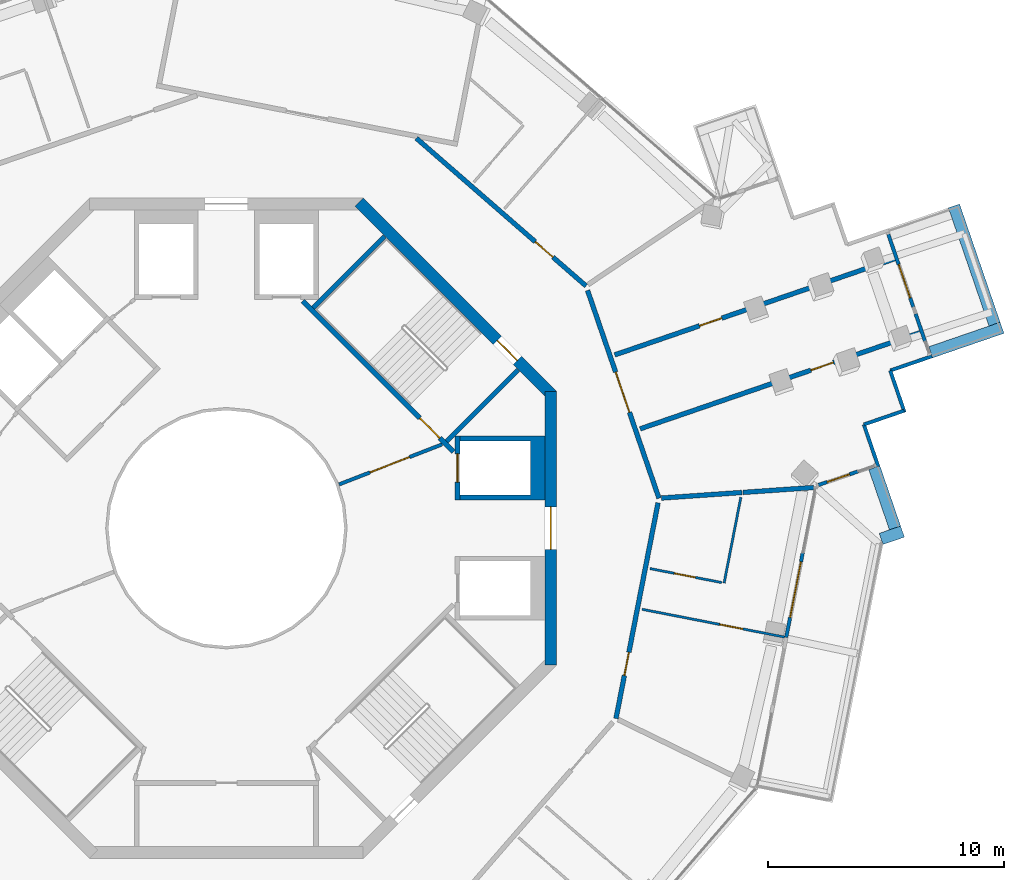
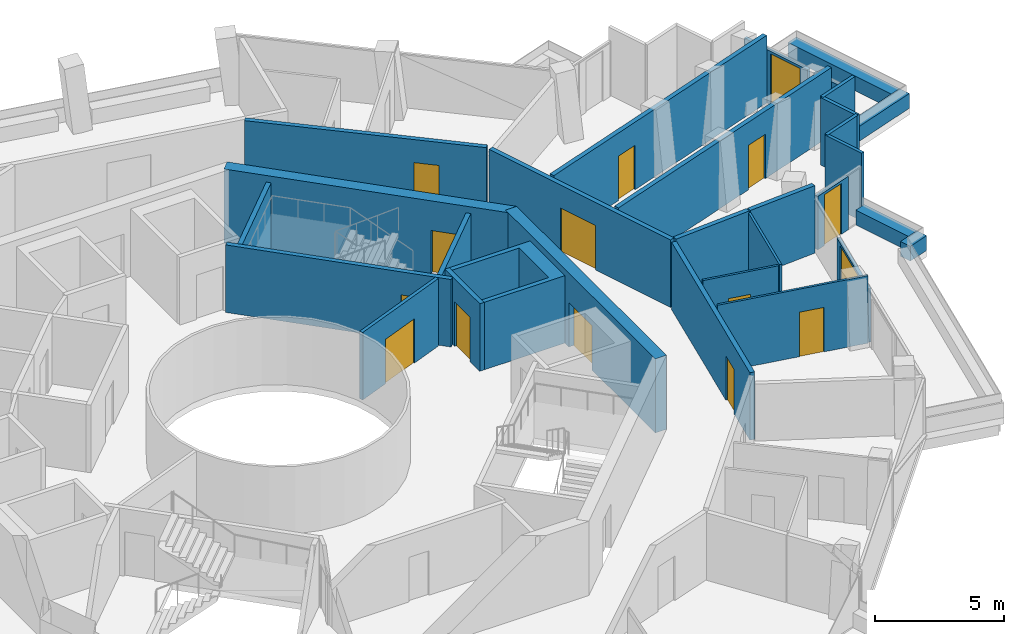
# One storey, part 18 of 22: 30 walls, 15 doors, 15 openings.
"""IFC4 building model written with IfcOpenShell, lengths in metres."""

from ifc_helpers import new_model, si_unit, direction, frame, frame_2d, origin, place, context, subcontext, project, spatial, polyline, rectangle, outline, extrude, material, layer, layer_set, type_object, element, fill, save


model = new_model("IFC4")

# Units and contexts
model_context = context("Model", 3, precision=1e-05, world=origin(), true_north=direction((0.0, 1.0)))
body_context = subcontext(model_context, "Body", "Model", "MODEL_VIEW")
ifc_project = project(units=[si_unit("LENGTHUNIT", "METRE"), si_unit("AREAUNIT", "SQUARE_METRE"), si_unit("VOLUMEUNIT", "CUBIC_METRE"), si_unit("PLANEANGLEUNIT", "RADIAN"), si_unit("MASSUNIT", "GRAM", prefix="KILO")], contexts=[model_context])

# Site, building, storey
site_placement = place(None, origin())
site = spatial("IfcSite", under=ifc_project, at=site_placement, CompositionType="ELEMENT")
building_placement = place(site_placement, origin())
building = spatial("IfcBuilding", under=site, at=building_placement, Name="Verdalira Terraces Hotel", CompositionType="ELEMENT")
storey_placement = place(building_placement, frame((0.0, 0.0, 234.0)))
storey = spatial("IfcBuildingStorey", under=building, at=storey_placement, Name="L57", CompositionType="ELEMENT", Elevation=234.0)

# Walls
ifc_material_1 = material(Name="Concrete C40", Category="concrete")
ifc_layer_1 = layer(ifc_material_1, 0.5)
ifc_layer_set_1 = layer_set([ifc_layer_1], Name="Balcony planter trough with tree")
wall_type_1 = type_object("IfcWallType", Name="Balcony planter trough with tree", PredefinedType="SOLIDWALL", material=ifc_layer_set_1)
wall_1_placement = place(storey_placement, frame((27.759766, -0.455322, 0.0), z_axis=(0.0, 0.0, 1.0), x_axis=(0.94576728, 0.324844966, 0.0)))
element("IfcWall", 1, at=wall_1_placement, inside=storey, type_object=wall_type_1, Name="Balcony planter", PredefinedType="SOLIDWALL", context=body_context, shape_type="SweptSolid", body=[
    extrude(rectangle(XDim=0.958984, YDim=0.5, at=frame_2d((0.479492, 0.0))), origin(), (0.0, 0.0, 1.0), 0.699951),
])
wall_2_placement = place(storey_placement, frame((28.349121, 0.011475, 0.0), z_axis=(0.0, 0.0, 1.0), x_axis=(-0.324925551, 0.945739598, 0.0)))
element("IfcWall", 2, at=wall_2_placement, inside=storey, type_object=wall_type_1, Name="Balcony planter", PredefinedType="SOLIDWALL", context=body_context, shape_type="SweptSolid", body=[
    extrude(rectangle(XDim=2.698975, YDim=0.5, at=frame_2d((1.349609, 0.0))), origin(), (0.0, 0.0, 1.0), 0.699951),
])
wall_3_placement = place(storey_placement, frame((29.863037, 7.457275, 0.0), z_axis=(0.0, 0.0, 1.0), x_axis=(0.945735708, 0.324936871, 0.0)))
element("IfcWall", 3, at=wall_3_placement, inside=storey, type_object=wall_type_1, Name="Balcony planter", PredefinedType="SOLIDWALL", context=body_context, shape_type="SweptSolid", body=[
    extrude(rectangle(XDim=3.199219, YDim=0.5, at=frame_2d((1.599609, 0.0))), origin(), (0.0, 0.0, 1.0), 0.699951),
])
wall_4_placement = place(storey_placement, frame((32.570801, 8.651855, 0.0), z_axis=(0.0, 0.0, 1.0), x_axis=(-0.32489309, 0.945750749, 0.0)))
element("IfcWall", 4, at=wall_4_placement, inside=storey, type_object=wall_type_1, Name="Balcony planter", PredefinedType="SOLIDWALL", context=body_context, shape_type="SweptSolid", body=[
    extrude(rectangle(XDim=5.300049, YDim=0.5, at=frame_2d((2.649902, 0.0))), origin(), (0.0, 0.0, 1.0), 0.699951),
])

# Wall, opening, door
ifc_material_2 = material(Name="Moisture-resistant gypsum board partition")
ifc_layer_2 = layer(ifc_material_2, 0.10009765625)
ifc_layer_set_2 = layer_set([ifc_layer_2], Name="Bathroom partition 100 mm")
wall_type_2 = type_object("IfcWallType", Name="Bathroom partition 100 mm", PredefinedType="PARTITIONING", material=ifc_layer_set_2)
wall_5_placement = place(storey_placement, frame((17.962646, -1.713135, 0.0), z_axis=(0.0, 0.0, 1.0), x_axis=(0.981487704, -0.191525162, 0.0)))
wall_5 = element("IfcWall", 5, at=wall_5_placement, inside=storey, type_object=wall_type_2, Name="Bathroom partition", PredefinedType="PARTITIONING", context=body_context, shape_type="SweptSolid", body=[
    extrude(rectangle(XDim=3.100098, YDim=0.100098, at=frame_2d((1.550049, 0.0))), origin(), (0.0, 0.0, 1.0), 3.189941),
])
opening_1_placement = place(wall_5_placement, frame((1.050049, 0.0, 0.0)))
opening_1 = element("IfcOpeningElement", 6, at=opening_1_placement, cuts=wall_5, Name="Opening L57-123", PredefinedType="OPENING", context=body_context, shape_type="SweptSolid", body=[
    extrude(rectangle(XDim=0.899902, YDim=2.100098, at=frame_2d((0.449951, 1.050049))), frame((0.0, 0.060059, 0.0), z_axis=(0.0, -1.0, 0.0), x_axis=(1.0, 0.0, 0.0)), (0.0, 0.0, 1.0), 0.120117),
])
ifc_material_3 = material(Name="Timber door", Category="wood")
door_type_1 = type_object("IfcDoorType", Name="Bathroom door 900 x 2100", OperationType="NOTDEFINED", PredefinedType="DOOR", material=ifc_material_3)
door_1_placement = place(opening_1_placement, origin())
door_1 = element("IfcDoor", 7, at=door_1_placement, inside=storey, type_object=door_type_1, Name="Bathroom door 5708", OperationType="SINGLE_SWING_RIGHT", OverallHeight=2.10009765625, OverallWidth=0.89990234375, PredefinedType="DOOR", context=body_context, shape_type="SweptSolid", body=[
    extrude(rectangle(XDim=0.899902, YDim=2.100098, at=frame_2d((0.449951, 1.050049))), frame((0.0, 0.024902, 0.0), z_axis=(0.0, -1.0, 0.0), x_axis=(1.0, 0.0, 0.0)), (0.0, 0.0, 1.0), 0.050049),
])
fill(opening_1, door_1)

wall_6_placement = place(storey_placement, frame((17.625977, -3.438965, 0.0), z_axis=(0.0, 0.0, 1.0), x_axis=(0.981492048, -0.191502898, 0.0)))
wall_6 = element("IfcWall", 8, at=wall_6_placement, inside=storey, type_object=wall_type_2, Name="Bathroom partition", PredefinedType="PARTITIONING", context=body_context, shape_type="SweptSolid", body=[
    extrude(rectangle(XDim=6.149902, YDim=0.100098, at=frame_2d((3.074951, 0.0))), origin(), (0.0, 0.0, 1.0), 3.189941),
])
opening_2_placement = place(wall_6_placement, frame((3.350098, 0.0, 0.0)))
opening_2 = element("IfcOpeningElement", 9, at=opening_2_placement, cuts=wall_6, Name="Opening L57-122", PredefinedType="OPENING", context=body_context, shape_type="SweptSolid", body=[
    extrude(rectangle(XDim=1.0, YDim=2.100098, at=frame_2d((0.5, 1.050049))), frame((0.0, 0.060059, 0.0), z_axis=(0.0, -1.0, 0.0), x_axis=(1.0, 0.0, 0.0)), (0.0, 0.0, 1.0), 0.120117),
])
ifc_material_4 = material(Name="Timber door", Category="wood")
door_type_2 = type_object("IfcDoorType", Name="Suite internal door 1000 x 2100", OperationType="NOTDEFINED", PredefinedType="DOOR", material=ifc_material_4)
door_2_placement = place(opening_2_placement, origin())
door_2 = element("IfcDoor", 10, at=door_2_placement, inside=storey, type_object=door_type_2, Name="Suite internal door 5708", OperationType="SINGLE_SWING_LEFT", OverallHeight=2.10009765625, OverallWidth=1.0, PredefinedType="DOOR", context=body_context, shape_type="SweptSolid", body=[
    extrude(rectangle(XDim=1.0, YDim=2.100098, at=frame_2d((0.5, 1.050049))), frame((0.0, 0.024902, 0.0), z_axis=(0.0, -1.0, 0.0), x_axis=(1.0, 0.0, 0.0)), (0.0, 0.0, 1.0), 0.050049),
])
fill(opening_2, door_2)

# Walls
wall_7_placement = place(storey_placement, frame((21.103516, -2.325928, 0.0), z_axis=(0.0, 0.0, 1.0), x_axis=(0.19147474, 0.981497541, 0.0)))
element("IfcWall", 11, at=wall_7_placement, inside=storey, type_object=wall_type_2, Name="Bathroom partition", PredefinedType="PARTITIONING", context=body_context, shape_type="SweptSolid", body=[
    extrude(rectangle(XDim=3.704102, YDim=0.100098, at=frame_2d((1.852051, 0.0))), origin(), (0.0, 0.0, 1.0), 3.189941),
])
ifc_material_5 = material(Name="Concrete C50", Category="concrete")
ifc_layer_3 = layer(ifc_material_5, 0.199951171875)
ifc_layer_set_3 = layer_set([ifc_layer_3], Name="Core RC wall 200 C50")
wall_type_3 = type_object("IfcWallType", Name="Core RC wall 200 C50", PredefinedType="SOLIDWALL", material=ifc_layer_set_3)
wall_8_placement = place(storey_placement, origin())
element("IfcWall", 12, at=wall_8_placement, inside=storey, type_object=wall_type_3, Name="L57 shaft wall E2", PredefinedType="SOLIDWALL", context=body_context, shape_type="SweptSolid", body=[
    extrude(outline(polyline([(13.5, 3.899902), (13.5, 1.199951), (9.899902, 1.199951), (9.899902, 1.399902), (12.899902, 1.399902), (12.899902, 3.699951), (9.899902, 3.699951), (9.899902, 3.899902), (13.5, 3.899902)])), origin(), (0.0, 0.0, 1.0), 3.189941),
])

# Wall, opening, door
wall_9_placement = place(storey_placement, frame((9.800049, 1.199951, 0.0), z_axis=(0.0, 0.0, 1.0), x_axis=(0.0, 1.0, 0.0)))
wall_9 = element("IfcWall", 13, at=wall_9_placement, inside=storey, type_object=wall_type_3, Name="L57 shaft front wall E2", PredefinedType="SOLIDWALL", context=body_context, shape_type="SweptSolid", body=[
    extrude(rectangle(XDim=2.699951, YDim=0.199951, at=frame_2d((1.350098, 0.0))), origin(), (0.0, 0.0, 1.0), 3.189941),
])
opening_3_placement = place(wall_9_placement, frame((0.75, 0.0, 0.0)))
opening_3 = element("IfcOpeningElement", 14, at=opening_3_placement, cuts=wall_9, Name="Opening LD-L57-803", PredefinedType="OPENING", context=body_context, shape_type="SweptSolid", body=[
    extrude(rectangle(XDim=1.199951, YDim=2.100098, at=frame_2d((0.600098, 1.050049))), frame((0.0, 0.109863, 0.0), z_axis=(0.0, -1.0, 0.0), x_axis=(1.0, 0.0, 0.0)), (0.0, 0.0, 1.0), 0.219971),
])
ifc_material_6 = material(Name="Stainless steel", Category="steel")
door_type_3 = type_object("IfcDoorType", Name="Landing door 1200 x 2100", OperationType="NOTDEFINED", PredefinedType="DOOR", material=ifc_material_6)
door_3_placement = place(opening_3_placement, origin())
door_3 = element("IfcDoor", 15, at=door_3_placement, inside=storey, type_object=door_type_3, Name="Lift landing door HR2 L57", OperationType="DOUBLE_DOOR_SLIDING", OverallHeight=2.10009765625, OverallWidth=1.199951171875, PredefinedType="DOOR", context=body_context, shape_type="SweptSolid", body=[
    extrude(rectangle(XDim=1.199951, YDim=2.100098, at=frame_2d((0.600098, 1.050049))), frame((0.0, 0.024902, 0.0), z_axis=(0.0, -1.0, 0.0), x_axis=(1.0, 0.0, 0.0)), (0.0, 0.0, 1.0), 0.050049),
])
fill(opening_3, door_3)

wall_10_placement = place(storey_placement, frame((3.23999, 9.629395, 0.0), z_axis=(0.0, 0.0, 1.0), x_axis=(0.707106781, -0.707106781, 0.0)))
wall_10 = element("IfcWall", 16, at=wall_10_placement, inside=storey, type_object=wall_type_3, Name="L57 stair ST1 front wall", PredefinedType="SOLIDWALL", context=body_context, shape_type="SweptSolid", body=[
    extrude(rectangle(XDim=9.035889, YDim=0.199951, at=frame_2d((4.518066, 0.0))), origin(), (0.0, 0.0, 1.0), 3.189941),
])
opening_4_placement = place(wall_10_placement, frame((7.017822, 0.0, 0.0)))
opening_4 = element("IfcOpeningElement", 17, at=opening_4_placement, cuts=wall_10, Name="Opening L57-810", PredefinedType="OPENING", context=body_context, shape_type="SweptSolid", body=[
    extrude(rectangle(XDim=1.199951, YDim=2.100098, at=frame_2d((0.600098, 1.050049))), frame((0.0, 0.109863, 0.0), z_axis=(0.0, -1.0, 0.0), x_axis=(1.0, 0.0, 0.0)), (0.0, 0.0, 1.0), 0.219971),
])
ifc_material_7 = material(Name="Steel fire door", Category="steel")
door_type_4 = type_object("IfcDoorType", Name="Stair door 1200 x 2100", OperationType="NOTDEFINED", PredefinedType="DOOR", material=ifc_material_7)
door_4_placement = place(opening_4_placement, origin())
door_4 = element("IfcDoor", 18, at=door_4_placement, inside=storey, type_object=door_type_4, Name="Stair door ST1 L57", OperationType="SINGLE_SWING_RIGHT", OverallHeight=2.10009765625, OverallWidth=1.199951171875, PredefinedType="DOOR", context=body_context, shape_type="SweptSolid", body=[
    extrude(rectangle(XDim=1.199951, YDim=2.100098, at=frame_2d((0.600098, 1.050049))), frame((0.0, 0.024902, 0.0), z_axis=(0.0, -1.0, 0.0), x_axis=(1.0, 0.0, 0.0)), (0.0, 0.0, 1.0), 0.050049),
])
fill(opening_4, door_4)

# Walls
for number, where, z_axis, x_axis, name in (
    (19, (9.33374, 3.677002, 0.0), (0.0, 0.0, 1.0), (0.707135168, 0.707078393, 0.0), "L57 stair ST1 end wall 1"),
    (20, (3.677002, 9.33374, 0.0), (0.0, 0.0, 1.0), (0.707078393, 0.707135168, 0.0), "L57 stair ST1 end wall 2"),
):
    element("IfcWall", number, at=place(storey_placement, frame(where, z_axis=z_axis, x_axis=x_axis)), inside=storey, type_object=wall_type_3, Name=name, PredefinedType="SOLIDWALL", context=body_context, shape_type="SweptSolid", body=[
        extrude(rectangle(XDim=4.300049, YDim=0.199951, at=frame_2d((2.149902, 0.0))), origin(), (0.0, 0.0, 1.0), 3.189941),
    ])

# Wall, opening, door
ifc_material_8 = material(Name="Gypsum board partition")
ifc_layer_4 = layer(ifc_material_8, 0.14990234375)
ifc_layer_set_4 = layer_set([ifc_layer_4], Name="Core partition 150 mm")
wall_type_4 = type_object("IfcWallType", Name="Core partition 150 mm", PredefinedType="PARTITIONING", material=ifc_layer_set_4)
wall_11_placement = place(storey_placement, frame((4.781982, 1.857178, 0.0), z_axis=(0.0, 0.0, 1.0), x_axis=(0.932155279, 0.362058746, 0.0)))
wall_11 = element("IfcWall", 21, at=wall_11_placement, inside=storey, type_object=wall_type_4, Name="Gallery fire partition L57", PredefinedType="PARTITIONING", context=body_context, shape_type="SweptSolid", body=[
    extrude(rectangle(XDim=4.682373, YDim=0.149902, at=frame_2d((2.341309, 0.0))), origin(), (0.0, 0.0, 1.0), 3.189941),
])
opening_5_placement = place(wall_11_placement, frame((1.399902, 0.0, 0.0)))
opening_5 = element("IfcOpeningElement", 22, at=opening_5_placement, cuts=wall_11, Name="Opening L57-824", PredefinedType="OPENING", context=body_context, shape_type="SweptSolid", body=[
    extrude(rectangle(XDim=1.800049, YDim=2.100098, at=frame_2d((0.899902, 1.050049))), frame((0.0, 0.084961, 0.0), z_axis=(0.0, -1.0, 0.0), x_axis=(1.0, 0.0, 0.0)), (0.0, 0.0, 1.0), 0.169922),
])
ifc_material_9 = material(Name="Steel fire door", Category="steel")
door_type_5 = type_object("IfcDoorType", Name="Gallery fire door pair 1800 x 2100", OperationType="NOTDEFINED", PredefinedType="DOOR", material=ifc_material_9)
door_5_placement = place(opening_5_placement, origin())
door_5 = element("IfcDoor", 23, at=door_5_placement, inside=storey, type_object=door_type_5, Name="Door L57 split0", OperationType="DOUBLE_DOOR_SINGLE_SWING", OverallHeight=2.10009765625, OverallWidth=1.800048828125, PredefinedType="DOOR", context=body_context, shape_type="SweptSolid", body=[
    extrude(rectangle(XDim=1.800049, YDim=2.100098, at=frame_2d((0.899902, 1.050049))), frame((0.0, 0.024902, 0.0), z_axis=(0.0, -1.0, 0.0), x_axis=(1.0, 0.0, 0.0)), (0.0, 0.0, 1.0), 0.050049),
])
fill(opening_5, door_5)

ifc_material_10 = material(Name="Concrete C50", Category="concrete")
ifc_layer_5 = layer(ifc_material_10, 0.5)
ifc_layer_set_5 = layer_set([ifc_layer_5], Name="Core wall 500 C50")
wall_type_5 = type_object("IfcWallType", Name="Core wall 500 C50", PredefinedType="SHEAR", material=ifc_layer_set_5)
wall_12_placement = place(storey_placement, frame((13.75, -5.799072, 0.0), z_axis=(0.0, 0.0, 1.0), x_axis=(0.0, 1.0, 0.0)))
wall_12 = element("IfcWall", 24, at=wall_12_placement, inside=storey, type_object=wall_type_5, Name="Core wall CW-L57-1", PredefinedType="SHEAR", context=body_context, shape_type="SweptSolid", body=[
    extrude(rectangle(XDim=11.598145, YDim=0.5, at=frame_2d((5.799072, 0.0))), origin(), (0.0, 0.0, 1.0), 3.5),
])
opening_6_placement = place(wall_12_placement, frame((4.898926, 0.0, 0.0)))
opening_6 = element("IfcOpeningElement", 25, at=opening_6_placement, cuts=wall_12, Name="Opening L57-813", PredefinedType="OPENING", context=body_context, shape_type="SweptSolid", body=[
    extrude(rectangle(XDim=1.800049, YDim=2.100098, at=frame_2d((0.899902, 1.050049))), frame((0.0, 0.26001, 0.0), z_axis=(0.0, -1.0, 0.0), x_axis=(1.0, 0.0, 0.0)), (0.0, 0.0, 1.0), 0.52002),
])
ifc_material_11 = material(Name="Steel fire door", Category="steel")
door_type_6 = type_object("IfcDoorType", Name="Core entry door pair 1800 x 2100", OperationType="NOTDEFINED", PredefinedType="DOOR", material=ifc_material_11)
door_6_placement = place(opening_6_placement, origin())
door_6 = element("IfcDoor", 26, at=door_6_placement, inside=storey, type_object=door_type_6, Name="Core entry door L57 0", OperationType="DOUBLE_DOOR_SINGLE_SWING", OverallHeight=2.10009765625, OverallWidth=1.800048828125, PredefinedType="DOOR", context=body_context, shape_type="SweptSolid", body=[
    extrude(rectangle(XDim=1.800049, YDim=2.100098, at=frame_2d((0.899902, 1.050049))), frame((0.0, 0.024902, 0.0), z_axis=(0.0, -1.0, 0.0), x_axis=(1.0, 0.0, 0.0)), (0.0, 0.0, 1.0), 0.050049),
])
fill(opening_6, door_6)

wall_13_placement = place(storey_placement, frame((13.823242, 5.622314, 0.0), z_axis=(0.0, 0.0, 1.0), x_axis=(-0.707106781, 0.707106781, 0.0)))
wall_13 = element("IfcWall", 27, at=wall_13_placement, inside=storey, type_object=wall_type_5, Name="Core wall CW-L57-2", PredefinedType="SHEAR", context=body_context, shape_type="SweptSolid", body=[
    extrude(rectangle(XDim=11.5979, YDim=0.5, at=frame_2d((5.798828, 0.0))), origin(), (0.0, 0.0, 1.0), 3.5),
])
opening_7_placement = place(wall_13_placement, frame((2.099121, 0.0, 0.0)))
opening_7 = element("IfcOpeningElement", 28, at=opening_7_placement, cuts=wall_13, Name="Opening L57-816", PredefinedType="OPENING", context=body_context, shape_type="SweptSolid", body=[
    extrude(rectangle(XDim=1.199951, YDim=2.100098, at=frame_2d((0.600098, 1.050049))), frame((0.0, 0.26001, 0.0), z_axis=(0.0, -1.0, 0.0), x_axis=(1.0, 0.0, 0.0)), (0.0, 0.0, 1.0), 0.52002),
])
door_7_placement = place(opening_7_placement, origin())
door_7 = element("IfcDoor", 29, at=door_7_placement, inside=storey, type_object=door_type_4, Name="Stair exit door ST1 L57", OperationType="SINGLE_SWING_LEFT", OverallHeight=2.10009765625, OverallWidth=1.199951171875, PredefinedType="DOOR", context=body_context, shape_type="SweptSolid", body=[
    extrude(rectangle(XDim=1.199951, YDim=2.100098, at=frame_2d((0.600098, 1.050049))), frame((0.0, 0.024902, 0.0), z_axis=(0.0, -1.0, 0.0), x_axis=(1.0, 0.0, 0.0)), (0.0, 0.0, 1.0), 0.050049),
])
fill(opening_7, door_7)

# Wall
ifc_material_12 = material(Name="Fire-rated gypsum board wall")
ifc_layer_6 = layer(ifc_material_12, 0.199951171875)
ifc_layer_set_6 = layer_set([ifc_layer_6], Name="Demising wall 200 mm")
wall_type_6 = type_object("IfcWallType", Name="Demising wall 200 mm", PredefinedType="SOLIDWALL", material=ifc_layer_set_6)
wall_14_placement = place(storey_placement, frame((21.854492, 1.512939, 0.0), z_axis=(0.0, 0.0, 1.0), x_axis=(-0.997612547, -0.069059441, 0.0)))
element("IfcWall", 30, at=wall_14_placement, inside=storey, type_object=wall_type_6, Name="Demising wall", PredefinedType="SOLIDWALL", context=body_context, shape_type="SweptSolid", body=[
    extrude(rectangle(XDim=3.418457, YDim=0.199951, at=frame_2d((1.709229, 0.0))), origin(), (0.0, 0.0, 1.0), 3.189941),
])

# Wall, opening, door
wall_15_placement = place(storey_placement, frame((16.464844, 7.345947, 0.0), z_axis=(0.0, 0.0, 1.0), x_axis=(0.945742436, 0.324917289, 0.0)))
wall_15 = element("IfcWall", 31, at=wall_15_placement, inside=storey, type_object=wall_type_6, Name="Demising wall", PredefinedType="SOLIDWALL", context=body_context, shape_type="SweptSolid", body=[
    extrude(rectangle(XDim=12.556641, YDim=0.199951, at=frame_2d((6.27832, 0.0))), origin(), (0.0, 0.0, 1.0), 3.189941),
])
opening_8_placement = place(wall_15_placement, frame((3.800049, 0.0, 0.0)))
opening_8 = element("IfcOpeningElement", 32, at=opening_8_placement, cuts=wall_15, Name="Opening L57-126", PredefinedType="OPENING", context=body_context, shape_type="SweptSolid", body=[
    extrude(rectangle(XDim=1.0, YDim=2.100098, at=frame_2d((0.5, 1.050049))), frame((0.0, 0.109863, 0.0), z_axis=(0.0, -1.0, 0.0), x_axis=(1.0, 0.0, 0.0)), (0.0, 0.0, 1.0), 0.219971),
])
ifc_material_13 = material(Name="Timber fire door", Category="wood")
door_type_7 = type_object("IfcDoorType", Name="Public room door 1000 x 2100", OperationType="NOTDEFINED", PredefinedType="DOOR", material=ifc_material_13)
door_8_placement = place(opening_8_placement, origin())
door_8 = element("IfcDoor", 33, at=door_8_placement, inside=storey, type_object=door_type_7, Name="Public room door 5709", OperationType="SINGLE_SWING_LEFT", OverallHeight=2.10009765625, OverallWidth=1.0, PredefinedType="DOOR", context=body_context, shape_type="SweptSolid", body=[
    extrude(rectangle(XDim=1.0, YDim=2.100098, at=frame_2d((0.5, 1.050049))), frame((0.0, 0.024902, 0.0), z_axis=(0.0, -1.0, 0.0), x_axis=(1.0, 0.0, 0.0)), (0.0, 0.0, 1.0), 0.050049),
])
fill(opening_8, door_8)

# Wall
wall_16_placement = place(storey_placement, frame((24.904541, 1.724121, 0.0), z_axis=(0.0, 0.0, 1.0), x_axis=(-0.997611873, -0.069069179, 0.0)))
element("IfcWall", 34, at=wall_16_placement, inside=storey, type_object=wall_type_6, Name="Demising wall", PredefinedType="SOLIDWALL", context=body_context, shape_type="SweptSolid", body=[
    extrude(rectangle(XDim=3.011475, YDim=0.199951, at=frame_2d((1.505859, 0.0))), origin(), (0.0, 0.0, 1.0), 3.189941),
])

# Wall, opening, door
wall_17_placement = place(storey_placement, frame((29.416992, 8.290771, 0.0), z_axis=(0.0, 0.0, 1.0), x_axis=(-0.945748411, -0.324899898, 0.0)))
wall_17 = element("IfcWall", 35, at=wall_17_placement, inside=storey, type_object=wall_type_6, Name="Demising wall", PredefinedType="SOLIDWALL", context=body_context, shape_type="SweptSolid", body=[
    extrude(rectangle(XDim=12.556396, YDim=0.199951, at=frame_2d((6.27832, 0.0))), origin(), (0.0, 0.0, 1.0), 3.189941),
])
opening_9_placement = place(wall_17_placement, frame((3.899902, 0.0, 0.0)))
opening_9 = element("IfcOpeningElement", 36, at=opening_9_placement, cuts=wall_17, Name="Opening L57-125", PredefinedType="OPENING", context=body_context, shape_type="SweptSolid", body=[
    extrude(rectangle(XDim=1.0, YDim=2.100098, at=frame_2d((0.5, 1.050049))), frame((0.0, 0.109863, 0.0), z_axis=(0.0, -1.0, 0.0), x_axis=(1.0, 0.0, 0.0)), (0.0, 0.0, 1.0), 0.219971),
])
door_9_placement = place(opening_9_placement, origin())
door_9 = element("IfcDoor", 37, at=door_9_placement, inside=storey, type_object=door_type_7, Name="Public room door 5709", OperationType="SINGLE_SWING_LEFT", OverallHeight=2.10009765625, OverallWidth=1.0, PredefinedType="DOOR", context=body_context, shape_type="SweptSolid", body=[
    extrude(rectangle(XDim=1.0, YDim=2.100098, at=frame_2d((0.5, 1.050049))), frame((0.0, 0.024902, 0.0), z_axis=(0.0, -1.0, 0.0), x_axis=(1.0, 0.0, 0.0)), (0.0, 0.0, 1.0), 0.050049),
])
fill(opening_9, door_9)

ifc_material_14 = material(Name="Fire-rated gypsum board wall")
ifc_layer_7 = layer(ifc_material_14, 0.199951171875)
ifc_layer_set_7 = layer_set([ifc_layer_7], Name="Guest corridor wall 200 mm")
wall_type_7 = type_object("IfcWallType", Name="Guest corridor wall 200 mm", PredefinedType="SOLIDWALL", material=ifc_layer_set_7)
wall_18_placement = place(storey_placement, frame((8.055908, 16.531494, 0.0), z_axis=(0.0, 0.0, 1.0), x_axis=(0.754252127, -0.656584899, 0.0)))
wall_18 = element("IfcWall", 38, at=wall_18_placement, inside=storey, type_object=wall_type_7, Name="Guest corridor wall", PredefinedType="SOLIDWALL", context=body_context, shape_type="SweptSolid", body=[
    extrude(rectangle(XDim=9.536377, YDim=0.199951, at=frame_2d((4.768066, 0.0))), origin(), (0.0, 0.0, 1.0), 3.189941),
])
opening_10_placement = place(wall_18_placement, frame((6.678223, 0.0, 0.0)))
opening_10 = element("IfcOpeningElement", 39, at=opening_10_placement, cuts=wall_18, Name="Opening L57-127", PredefinedType="OPENING", context=body_context, shape_type="SweptSolid", body=[
    extrude(rectangle(XDim=1.0, YDim=2.100098, at=frame_2d((0.5, 1.050049))), frame((0.0, 0.109863, 0.0), z_axis=(0.0, -1.0, 0.0), x_axis=(1.0, 0.0, 0.0)), (0.0, 0.0, 1.0), 0.219971),
])
ifc_material_15 = material(Name="Timber fire door", Category="wood")
door_type_8 = type_object("IfcDoorType", Name="Guest entry door 1000 x 2100", OperationType="NOTDEFINED", PredefinedType="DOOR", material=ifc_material_15)
door_10_placement = place(opening_10_placement, origin())
door_10 = element("IfcDoor", 40, at=door_10_placement, inside=storey, type_object=door_type_8, Name="Guest entry door 5710", OperationType="SINGLE_SWING_LEFT", OverallHeight=2.10009765625, OverallWidth=1.0, PredefinedType="DOOR", context=body_context, shape_type="SweptSolid", body=[
    extrude(rectangle(XDim=1.0, YDim=2.100098, at=frame_2d((0.5, 1.050049))), frame((0.0, 0.024902, 0.0), z_axis=(0.0, -1.0, 0.0), x_axis=(1.0, 0.0, 0.0)), (0.0, 0.0, 1.0), 0.050049),
])
fill(opening_10, door_10)

wall_19_placement = place(storey_placement, frame((15.313721, 10.080811, 0.0), z_axis=(0.0, 0.0, 1.0), x_axis=(0.324917178, -0.945742474, 0.0)))
wall_19 = element("IfcWall", 41, at=wall_19_placement, inside=storey, type_object=wall_type_7, Name="Guest corridor wall", PredefinedType="SOLIDWALL", context=body_context, shape_type="SweptSolid", body=[
    extrude(rectangle(XDim=9.316406, YDim=0.199951, at=frame_2d((4.658203, 0.0))), origin(), (0.0, 0.0, 1.0), 3.189941),
])
opening_11_placement = place(wall_19_placement, frame((3.6604, 0.0, 0.0)))
opening_11 = element("IfcOpeningElement", 42, at=opening_11_placement, cuts=wall_19, Name="Opening L57-124", PredefinedType="OPENING", context=body_context, shape_type="SweptSolid", body=[
    extrude(rectangle(XDim=1.800049, YDim=2.100098, at=frame_2d((0.899902, 1.050049))), frame((0.0, 0.109863, 0.0), z_axis=(0.0, -1.0, 0.0), x_axis=(1.0, 0.0, 0.0)), (0.0, 0.0, 1.0), 0.219971),
])
ifc_material_16 = material(Name="Timber fire door", Category="wood")
door_type_9 = type_object("IfcDoorType", Name="Public room double door 1800 x 2100", OperationType="NOTDEFINED", PredefinedType="DOOR", material=ifc_material_16)
door_11_placement = place(opening_11_placement, origin())
door_11 = element("IfcDoor", 43, at=door_11_placement, inside=storey, type_object=door_type_9, Name="Public room double door 5709", OperationType="DOUBLE_DOOR_SINGLE_SWING", OverallHeight=2.10009765625, OverallWidth=1.800048828125, PredefinedType="DOOR", context=body_context, shape_type="SweptSolid", body=[
    extrude(rectangle(XDim=1.800049, YDim=2.100098, at=frame_2d((0.899902, 1.050049))), frame((0.0, 0.024902, 0.0), z_axis=(0.0, -1.0, 0.0), x_axis=(1.0, 0.0, 0.0)), (0.0, 0.0, 1.0), 0.050049),
])
fill(opening_11, door_11)

wall_20_placement = place(storey_placement, frame((18.30249, 1.073486, 0.0), z_axis=(0.0, 0.0, 1.0), x_axis=(-0.191477727, -0.981496959, 0.0)))
wall_20 = element("IfcWall", 44, at=wall_20_placement, inside=storey, type_object=wall_type_7, Name="Guest corridor wall", PredefinedType="SOLIDWALL", context=body_context, shape_type="SweptSolid", body=[
    extrude(rectangle(XDim=9.31665, YDim=0.199951, at=frame_2d((4.658203, 0.0))), origin(), (0.0, 0.0, 1.0), 3.189941),
])
opening_12_placement = place(wall_20_placement, frame((6.458252, 0.0, 0.0)))
opening_12 = element("IfcOpeningElement", 45, at=opening_12_placement, cuts=wall_20, Name="Opening L57-121", PredefinedType="OPENING", context=body_context, shape_type="SweptSolid", body=[
    extrude(rectangle(XDim=1.0, YDim=2.100098, at=frame_2d((0.5, 1.050049))), frame((0.0, 0.109863, 0.0), z_axis=(0.0, -1.0, 0.0), x_axis=(1.0, 0.0, 0.0)), (0.0, 0.0, 1.0), 0.219971),
])
door_12_placement = place(opening_12_placement, origin())
door_12 = element("IfcDoor", 46, at=door_12_placement, inside=storey, type_object=door_type_8, Name="Guest entry door 5708", OperationType="SINGLE_SWING_LEFT", OverallHeight=2.10009765625, OverallWidth=1.0, PredefinedType="DOOR", context=body_context, shape_type="SweptSolid", body=[
    extrude(rectangle(XDim=1.0, YDim=2.100098, at=frame_2d((0.5, 1.050049))), frame((0.0, 0.024902, 0.0), z_axis=(0.0, -1.0, 0.0), x_axis=(1.0, 0.0, 0.0)), (0.0, 0.0, 1.0), 0.050049),
])
fill(opening_12, door_12)

# Walls
ifc_material_17 = material(Name="Terracotta cladding", Category="masonry")
ifc_layer_8 = layer(ifc_material_17, 0.14990234375)
ifc_layer_set_8 = layer_set([ifc_layer_8], Name="Terracotta clad wall 150")
wall_type_8 = type_object("IfcWallType", Name="Terracotta clad wall 150", PredefinedType="SOLIDWALL", material=ifc_layer_set_8)
wall_21_placement = place(storey_placement, frame((27.637451, 2.621826, 0.0), z_axis=(0.0, 0.0, 1.0), x_axis=(-0.324846878, 0.945766623, 0.0)))
element("IfcWall", 47, at=wall_21_placement, inside=storey, type_object=wall_type_8, Name="Terracotta cladding wall", PredefinedType="SOLIDWALL", context=body_context, shape_type="SweptSolid", body=[
    extrude(rectangle(XDim=1.875244, YDim=0.149902, at=frame_2d((0.9375, 0.0))), origin(), (0.0, 0.0, 1.0), 3.189941),
])
wall_22_placement = place(storey_placement, frame((27.02832, 4.395264, 0.0), z_axis=(0.0, 0.0, 1.0), x_axis=(0.94576866, 0.324840949, 0.0)))
element("IfcWall", 48, at=wall_22_placement, inside=storey, type_object=wall_type_8, Name="Terracotta cladding wall", PredefinedType="SOLIDWALL", context=body_context, shape_type="SweptSolid", body=[
    extrude(rectangle(XDim=1.800049, YDim=0.149902, at=frame_2d((0.899902, 0.0))), origin(), (0.0, 0.0, 1.0), 3.189941),
])
wall_23_placement = place(storey_placement, frame((28.754883, 4.908936, 0.0), z_axis=(0.0, 0.0, 1.0), x_axis=(-0.324846878, 0.945766623, 0.0)))
element("IfcWall", 49, at=wall_23_placement, inside=storey, type_object=wall_type_8, Name="Terracotta cladding wall", PredefinedType="SOLIDWALL", context=body_context, shape_type="SweptSolid", body=[
    extrude(rectangle(XDim=1.875244, YDim=0.149902, at=frame_2d((0.9375, 0.0))), origin(), (0.0, 0.0, 1.0), 3.189941),
])
wall_24_placement = place(storey_placement, frame((28.145752, 6.682373, 0.0), z_axis=(0.0, 0.0, 1.0), x_axis=(0.945752881, 0.324886884, 0.0)))
element("IfcWall", 50, at=wall_24_placement, inside=storey, type_object=wall_type_8, Name="Terracotta cladding wall", PredefinedType="SOLIDWALL", context=body_context, shape_type="SweptSolid", body=[
    extrude(rectangle(XDim=1.875, YDim=0.149902, at=frame_2d((0.9375, 0.0))), origin(), (0.0, 0.0, 1.0), 3.189941),
])
ifc_material_18 = material(Name="Terracotta cladding", Category="masonry")
ifc_layer_9 = layer(ifc_material_18, 0.14990234375)
ifc_layer_set_9 = layer_set([ifc_layer_9], Name="Terracotta column pier 150")
wall_type_9 = type_object("IfcWallType", Name="Terracotta column pier 150", PredefinedType="SOLIDWALL", material=ifc_layer_set_9)
wall_25_placement = place(storey_placement, frame((29.63208, 7.895996, 0.0), z_axis=(0.0, 0.0, 1.0), x_axis=(-0.324938886, 0.945735016, 0.0)))
element("IfcWall", 51, at=wall_25_placement, inside=storey, type_object=wall_type_9, Name="Terracotta column pier", PredefinedType="SOLIDWALL", context=body_context, shape_type="SweptSolid", body=[
    extrude(rectangle(XDim=1.259277, YDim=0.149902, at=frame_2d((0.629639, 0.0))), origin(), (0.0, 0.0, 1.0), 2.524902),
])

# Wall, opening, door
ifc_material_19 = material(Name="Terracotta cladding", Category="masonry")
ifc_layer_10 = layer(ifc_material_19, 0.14990234375)
ifc_layer_set_10 = layer_set([ifc_layer_10], Name="Terracotta door pier 150")
wall_type_10 = type_object("IfcWallType", Name="Terracotta door pier 150", PredefinedType="SOLIDWALL", material=ifc_layer_set_10)
wall_26_placement = place(storey_placement, frame((23.73584, -4.630859, 0.0), z_axis=(0.0, 0.0, 1.0), x_axis=(0.191510359, 0.981490592, 0.0)))
wall_26 = element("IfcWall", 52, at=wall_26_placement, inside=storey, type_object=wall_type_10, Name="Terracotta door pier", PredefinedType="SOLIDWALL", context=body_context, shape_type="SweptSolid", body=[
    extrude(rectangle(XDim=3.661377, YDim=0.149902, at=frame_2d((1.830566, 0.0))), origin(), (0.0, 0.0, 1.0), 2.524902),
])
opening_13_placement = place(wall_26_placement, frame((0.861328, 0.0, 0.0)))
opening_13 = element("IfcOpeningElement", 53, at=opening_13_placement, cuts=wall_26, Name="Opening L57-B10", PredefinedType="OPENING", context=body_context, shape_type="SweptSolid", body=[
    extrude(rectangle(XDim=2.399902, YDim=2.399902, at=frame_2d((1.199951, 1.199951))), frame((0.0, 0.084961, 0.0), z_axis=(0.0, -1.0, 0.0), x_axis=(1.0, 0.0, 0.0)), (0.0, 0.0, 1.0), 0.169922),
])
ifc_material_20 = material(Name="Clear glass", Category="glass")
door_type_10 = type_object("IfcDoorType", Name="Balcony sliding door 2400x2400", OperationType="NOTDEFINED", PredefinedType="DOOR", material=ifc_material_20)
door_13_placement = place(opening_13_placement, origin())
door_13 = element("IfcDoor", 54, at=door_13_placement, inside=storey, type_object=door_type_10, Name="Balcony sliding door", OperationType="SLIDING_TO_LEFT", OverallHeight=2.39990234375, OverallWidth=2.39990234375, PredefinedType="DOOR", context=body_context, shape_type="SweptSolid", body=[
    extrude(rectangle(XDim=2.399902, YDim=2.399902, at=frame_2d((1.199951, 1.199951))), frame((0.0, 0.024902, 0.0), z_axis=(0.0, -1.0, 0.0), x_axis=(1.0, 0.0, 0.0)), (0.0, 0.0, 1.0), 0.050049),
])
fill(opening_13, door_13)

wall_27_placement = place(storey_placement, frame((25.095947, 1.828125, 0.0), z_axis=(0.0, 0.0, 1.0), x_axis=(0.94576866, 0.324840949, 0.0)))
wall_27 = element("IfcWall", 55, at=wall_27_placement, inside=storey, type_object=wall_type_10, Name="Terracotta door pier", PredefinedType="SOLIDWALL", context=body_context, shape_type="SweptSolid", body=[
    extrude(rectangle(XDim=1.800049, YDim=0.149902, at=frame_2d((0.899902, 0.0))), origin(), (0.0, 0.0, 1.0), 2.524902),
])
opening_14_placement = place(wall_27_placement, frame((0.399902, 0.0, 0.0)))
opening_14 = element("IfcOpeningElement", 56, at=opening_14_placement, cuts=wall_27, Name="Opening L57-B11", PredefinedType="OPENING", context=body_context, shape_type="SweptSolid", body=[
    extrude(rectangle(XDim=1.0, YDim=2.399902, at=frame_2d((0.5, 1.199951))), frame((0.0, 0.084961, 0.0), z_axis=(0.0, -1.0, 0.0), x_axis=(1.0, 0.0, 0.0)), (0.0, 0.0, 1.0), 0.169922),
])
ifc_material_21 = material(Name="Clear glass", Category="glass")
door_type_11 = type_object("IfcDoorType", Name="Balcony sliding door 1000x2400", OperationType="NOTDEFINED", PredefinedType="DOOR", material=ifc_material_21)
door_14_placement = place(opening_14_placement, origin())
door_14 = element("IfcDoor", 57, at=door_14_placement, inside=storey, type_object=door_type_11, Name="Balcony sliding door", OperationType="SLIDING_TO_LEFT", OverallHeight=2.39990234375, OverallWidth=1.0, PredefinedType="DOOR", context=body_context, shape_type="SweptSolid", body=[
    extrude(rectangle(XDim=1.0, YDim=2.399902, at=frame_2d((0.5, 1.199951))), frame((0.0, 0.024902, 0.0), z_axis=(0.0, -1.0, 0.0), x_axis=(1.0, 0.0, 0.0)), (0.0, 0.0, 1.0), 0.050049),
])
fill(opening_14, door_14)

wall_28_placement = place(storey_placement, frame((29.121826, 9.380859, 0.0), z_axis=(0.0, 0.0, 1.0), x_axis=(-0.324864187, 0.945760678, 0.0)))
wall_28 = element("IfcWall", 58, at=wall_28_placement, inside=storey, type_object=wall_type_10, Name="Terracotta door pier", PredefinedType="SOLIDWALL", context=body_context, shape_type="SweptSolid", body=[
    extrude(rectangle(XDim=3.26001, YDim=0.149902, at=frame_2d((1.629883, 0.0))), origin(), (0.0, 0.0, 1.0), 2.524902),
])
opening_15_placement = place(wall_28_placement, frame((0.399902, 0.0, 0.0)))
opening_15 = element("IfcOpeningElement", 59, at=opening_15_placement, cuts=wall_28, Name="Opening L57-B12", PredefinedType="OPENING", context=body_context, shape_type="SweptSolid", body=[
    extrude(rectangle(XDim=1.5, YDim=2.399902, at=frame_2d((0.75, 1.199951))), frame((0.0, 0.084961, 0.0), z_axis=(0.0, -1.0, 0.0), x_axis=(1.0, 0.0, 0.0)), (0.0, 0.0, 1.0), 0.169922),
])
ifc_material_22 = material(Name="Clear glass", Category="glass")
door_type_12 = type_object("IfcDoorType", Name="Balcony sliding door 1500x2400", OperationType="NOTDEFINED", PredefinedType="DOOR", material=ifc_material_22)
door_15_placement = place(opening_15_placement, origin())
door_15 = element("IfcDoor", 60, at=door_15_placement, inside=storey, type_object=door_type_12, Name="Balcony sliding door", OperationType="SLIDING_TO_RIGHT", OverallHeight=2.39990234375, OverallWidth=1.5, PredefinedType="DOOR", context=body_context, shape_type="SweptSolid", body=[
    extrude(rectangle(XDim=1.5, YDim=2.399902, at=frame_2d((0.75, 1.199951))), frame((0.0, 0.024902, 0.0), z_axis=(0.0, -1.0, 0.0), x_axis=(1.0, 0.0, 0.0)), (0.0, 0.0, 1.0), 0.050049),
])
fill(opening_15, door_15)

save(model, "model.ifc")
